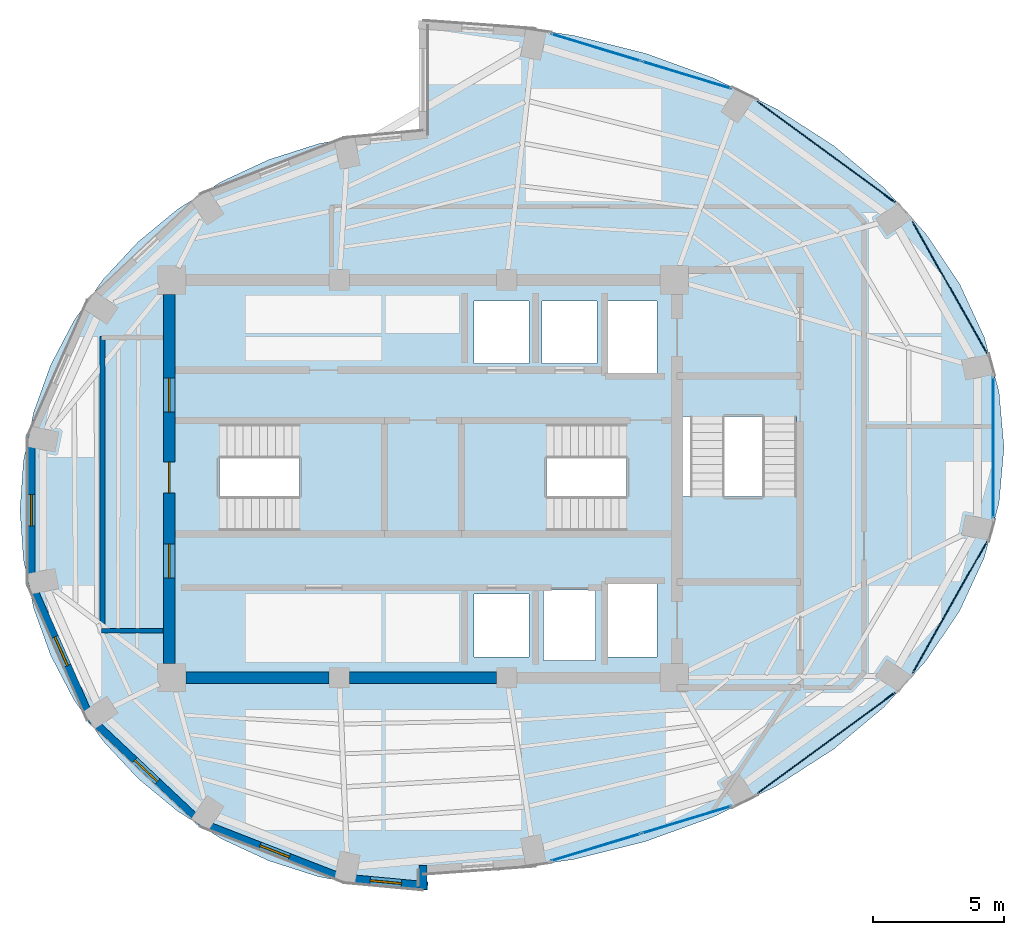
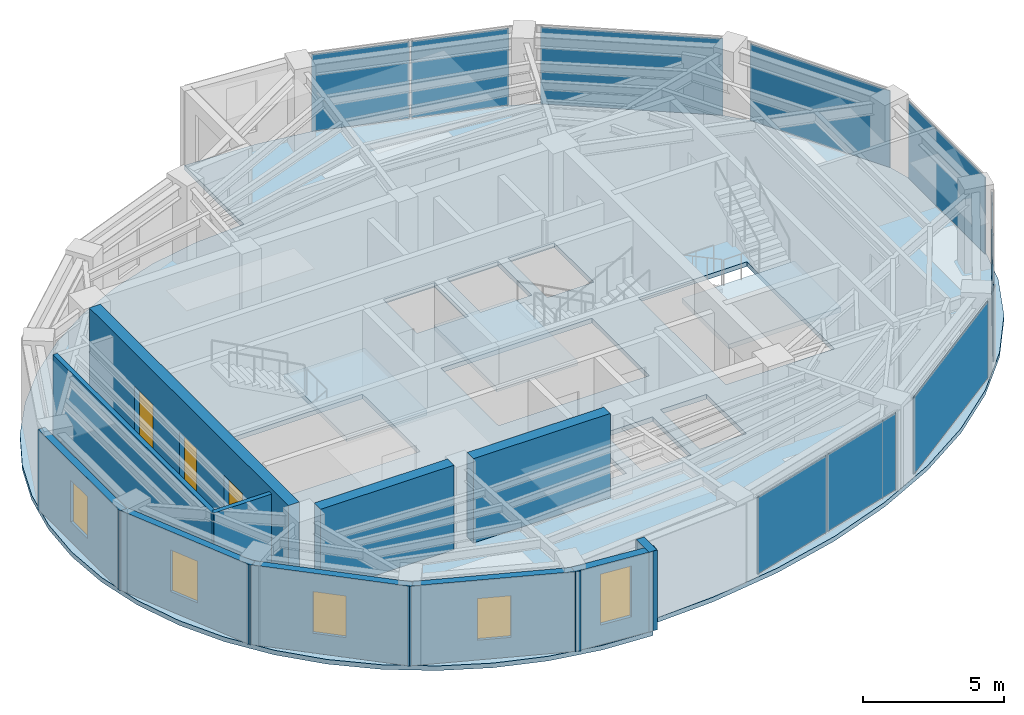
# One storey, part 8 of 12: 11 walls, 9 plates, 5 windows, 4 slabs, 3 doors, 8 openings, 10 elements without a shape of their own.
"""IFC4 building model written with IfcOpenShell, lengths in metres."""

from ifc_helpers import new_model, si_unit, direction, frame, frame_2d, origin, origin_2d, place, context, subcontext, project, spatial, polyline, rectangle, outline, extrude, material, layer, layer_set, type_object, element, fill, aggregate, save


model = new_model("IFC4")

# Units and contexts
model_context = context("Model", 3, precision=1e-05, world=origin(), true_north=direction((0.0, 1.0)))
body_context = subcontext(model_context, "Body", "Model", "MODEL_VIEW")
ifc_project = project(units=[si_unit("LENGTHUNIT", "METRE"), si_unit("AREAUNIT", "SQUARE_METRE"), si_unit("VOLUMEUNIT", "CUBIC_METRE"), si_unit("PLANEANGLEUNIT", "RADIAN"), si_unit("MASSUNIT", "GRAM", prefix="KILO")], contexts=[model_context])

# Site, building, storey
site_placement = place(None, origin())
site = spatial("IfcSite", under=ifc_project, at=site_placement, CompositionType="ELEMENT")
building_placement = place(site_placement, origin())
building = spatial("IfcBuilding", under=site, at=building_placement, Name="Lazwardi Medical Tower", CompositionType="ELEMENT")
storey_placement = place(building_placement, frame((0.0, 0.0, 287.85595703125)))
storey = spatial("IfcBuildingStorey", under=building, at=storey_placement, Name="L75", CompositionType="ELEMENT", Elevation=287.85595703125)

# Curtain wall, plates
ifc_material_1 = material(Name="Anodised bronze aluminium and solar control glazing", Category="aluminium")
ifc_layer_1 = layer(ifc_material_1, 0.18994140625)
ifc_layer_set_1 = layer_set([ifc_layer_1], Name="Anodised bronze aluminium and solar control glazing")
curtain_wall_type = type_object("IfcCurtainWallType", Name="CW-SYS-04", PredefinedType="NOTDEFINED", material=ifc_layer_set_1)
curtain_wall_1_placement = place(storey_placement, origin())
curtain_wall_1 = element("IfcCurtainWall", 1, at=curtain_wall_1_placement, inside=storey, type_object=curtain_wall_type, Name="L75 Unitised bronze curtain wall CW-04", PredefinedType="NOTDEFINED")
ifc_material_2 = material(Name="Low-e bronze solar control double glazing", Category="glass")
ifc_layer_2 = layer(ifc_material_2, 0.035888671875)
ifc_layer_set_2 = layer_set([ifc_layer_2], Name="Low-e bronze solar control double glazing")
plate_type = type_object("IfcPlateType", Name="PLT-GLZ-01", PredefinedType="CURTAIN_PANEL", material=ifc_layer_set_2)
plate_1_placement = place(storey_placement, frame((42.604736328125, 13.918701171875, 0.06494140625), z_axis=(0.0, 0.0, 1.0), x_axis=(0.956850126972, 0.290581889515, 0.0)))
plate_1 = element("IfcPlate", 2, at=plate_1_placement, type_object=plate_type, Name="CW-04 panel 1.1", PredefinedType="CURTAIN_PANEL", context=body_context, shape_type="SweptSolid", body=[
    extrude(rectangle(XDim=3.554443359375, YDim=0.035888671875, at=origin_2d()), origin(), (0.0, 0.0, 1.0), 3.318115234375),
])
plate_2_placement = place(storey_placement, frame((46.068115234375, 14.970458984375, 0.06494140625), z_axis=(0.0, 0.0, 1.0), x_axis=(0.956850126972, 0.290581889515, 0.0)))
plate_2 = element("IfcPlate", 3, at=plate_2_placement, type_object=plate_type, Name="CW-04 panel 2.1", PredefinedType="CURTAIN_PANEL", context=body_context, shape_type="SweptSolid", body=[
    extrude(rectangle(XDim=3.554443359375, YDim=0.035888671875, at=origin_2d()), origin(), (0.0, 0.0, 1.0), 3.318115234375),
])
aggregate(curtain_wall_1, [plate_1, plate_2])

# Curtain wall, plate
curtain_wall_2_placement = place(storey_placement, origin())
curtain_wall_2 = element("IfcCurtainWall", 4, at=curtain_wall_2_placement, inside=storey, type_object=curtain_wall_type, Name="L75 Unitised bronze curtain wall CW-04", PredefinedType="NOTDEFINED")
plate_3_placement = place(storey_placement, frame((51.403564453125, 17.90673828125, 0.06494140625), z_axis=(0.0, 0.0, 1.0), x_axis=(0.806474971121, 0.591268230971, 0.0)))
plate_3 = element("IfcPlate", 5, at=plate_3_placement, type_object=plate_type, Name="CW-04 panel 1.1", PredefinedType="CURTAIN_PANEL", context=body_context, shape_type="SweptSolid", body=[
    extrude(rectangle(XDim=6.502685546875, YDim=0.035888671875, at=origin_2d()), origin(), (0.0, 0.0, 1.0), 3.318115234375),
])
aggregate(curtain_wall_2, [plate_3])

curtain_wall_3_placement = place(storey_placement, origin())
curtain_wall_3 = element("IfcCurtainWall", 6, at=curtain_wall_3_placement, inside=storey, type_object=curtain_wall_type, Name="L75 Unitised bronze curtain wall CW-04", PredefinedType="NOTDEFINED")
plate_4_placement = place(storey_placement, frame((56.125732421875, 23.088134765625, 0.06494140625), z_axis=(0.0, 0.0, 1.0), x_axis=(0.491900474661, 0.870651436011, 0.0)))
plate_4 = element("IfcPlate", 7, at=plate_4_placement, type_object=plate_type, Name="CW-04 panel 1.1", PredefinedType="CURTAIN_PANEL", context=body_context, shape_type="SweptSolid", body=[
    extrude(rectangle(XDim=5.755126953125, YDim=0.035888671875, at=origin_2d()), origin(), (0.0, 0.0, 1.0), 3.318115234375),
])
aggregate(curtain_wall_3, [plate_4])

curtain_wall_4_placement = place(storey_placement, origin())
curtain_wall_4 = element("IfcCurtainWall", 8, at=curtain_wall_4_placement, inside=storey, type_object=curtain_wall_type, Name="L75 Unitised bronze curtain wall CW-04", PredefinedType="NOTDEFINED")
plate_5_placement = place(storey_placement, frame((57.7841796875, 29.199951171875, 0.06494140625), z_axis=(0.0, 0.0, 1.0), x_axis=(0.0, 1.0, 0.0)))
plate_5 = element("IfcPlate", 9, at=plate_5_placement, type_object=plate_type, Name="CW-04 panel 1.1", PredefinedType="CURTAIN_PANEL", context=body_context, shape_type="SweptSolid", body=[
    extrude(rectangle(XDim=5.416015625, YDim=0.035888671875, at=origin_2d()), origin(), (0.0, 0.0, 1.0), 3.318115234375),
])
aggregate(curtain_wall_4, [plate_5])

curtain_wall_5_placement = place(storey_placement, origin())
curtain_wall_5 = element("IfcCurtainWall", 10, at=curtain_wall_5_placement, inside=storey, type_object=curtain_wall_type, Name="L75 Unitised bronze curtain wall CW-04", PredefinedType="NOTDEFINED")
plate_6_placement = place(storey_placement, frame((56.125732421875, 35.311767578125, 0.06494140625), z_axis=(0.0, 0.0, 1.0), x_axis=(-0.491900474661, 0.870651436011, 0.0)))
plate_6 = element("IfcPlate", 11, at=plate_6_placement, type_object=plate_type, Name="CW-04 panel 1.1", PredefinedType="CURTAIN_PANEL", context=body_context, shape_type="SweptSolid", body=[
    extrude(rectangle(XDim=5.755126953125, YDim=0.035888671875, at=origin_2d()), origin(), (0.0, 0.0, 1.0), 3.318115234375),
])
aggregate(curtain_wall_5, [plate_6])

curtain_wall_6_placement = place(storey_placement, origin())
curtain_wall_6 = element("IfcCurtainWall", 12, at=curtain_wall_6_placement, inside=storey, type_object=curtain_wall_type, Name="L75 Unitised bronze curtain wall CW-04", PredefinedType="NOTDEFINED")
plate_7_placement = place(storey_placement, frame((51.403564453125, 40.4931640625, 0.06494140625), z_axis=(0.0, 0.0, 1.0), x_axis=(-0.806474971121, 0.591268230971, 0.0)))
plate_7 = element("IfcPlate", 13, at=plate_7_placement, type_object=plate_type, Name="CW-04 panel 1.1", PredefinedType="CURTAIN_PANEL", context=body_context, shape_type="SweptSolid", body=[
    extrude(rectangle(XDim=6.502685546875, YDim=0.035888671875, at=origin_2d()), origin(), (0.0, 0.0, 1.0), 3.318115234375),
])
aggregate(curtain_wall_6, [plate_7])

# Curtain wall, plates
curtain_wall_7_placement = place(storey_placement, origin())
curtain_wall_7 = element("IfcCurtainWall", 14, at=curtain_wall_7_placement, inside=storey, type_object=curtain_wall_type, Name="L75 Unitised bronze curtain wall CW-04", PredefinedType="NOTDEFINED")
plate_8_placement = place(storey_placement, frame((46.068115234375, 43.429443359375, 0.06494140625), z_axis=(0.0, 0.0, 1.0), x_axis=(-0.956850126972, 0.290581889515, 0.0)))
plate_8 = element("IfcPlate", 15, at=plate_8_placement, type_object=plate_type, Name="CW-04 panel 1.1", PredefinedType="CURTAIN_PANEL", context=body_context, shape_type="SweptSolid", body=[
    extrude(rectangle(XDim=3.554443359375, YDim=0.035888671875, at=origin_2d()), origin(), (0.0, 0.0, 1.0), 3.318115234375),
])
plate_9_placement = place(storey_placement, frame((42.604736328125, 44.481201171875, 0.06494140625), z_axis=(0.0, 0.0, 1.0), x_axis=(-0.956850126972, 0.290581889515, 0.0)))
plate_9 = element("IfcPlate", 16, at=plate_9_placement, type_object=plate_type, Name="CW-04 panel 2.1", PredefinedType="CURTAIN_PANEL", context=body_context, shape_type="SweptSolid", body=[
    extrude(rectangle(XDim=3.554443359375, YDim=0.035888671875, at=origin_2d()), origin(), (0.0, 0.0, 1.0), 3.318115234375),
])
aggregate(curtain_wall_7, [plate_8, plate_9])

# Stair, slab
ifc_material_3 = material(Name="Concrete C45/55", Category="concrete")
stair_type = type_object("IfcStairType", Name="STR-WRD", PredefinedType="HALF_TURN_STAIR", material=ifc_material_3)
stair_1_placement = place(storey_placement, origin())
stair_1 = element("IfcStair", 17, at=stair_1_placement, inside=storey, type_object=stair_type, Name="L75 Protected Exit Stair ST1", PredefinedType="HALF_TURN_STAIR")
ifc_layer_3 = layer(ifc_material_3, 0.199951171875)
ifc_layer_set_3 = layer_set([ifc_layer_3], Name="Concrete C45/55")
slab_type_1 = type_object("IfcSlabType", Name="SLB-LND-190", PredefinedType="LANDING", material=ifc_layer_set_3)
slab_1_placement = place(storey_placement, frame((0.0, 0.0, 1.6240234375)))
slab_1 = element("IfcSlab", 18, at=slab_1_placement, type_object=slab_type_1, Name="ST1 landing 1", PredefinedType="LANDING", context=body_context, shape_type="SweptSolid", body=[
    extrude(outline(polyline([(31.27490234375, 25.840087890625), (34.580078125, 25.840087890625), (34.580078125, 30.280029296875), (31.27490234375, 30.280029296875), (31.27490234375, 25.840087890625)])), origin(), (0.0, 0.0, 1.0), 0.199951171875),
])
aggregate(stair_1, [slab_1])

stair_2_placement = place(storey_placement, origin())
stair_2 = element("IfcStair", 19, at=stair_2_placement, inside=storey, type_object=stair_type, Name="L75 Protected Exit Stair ST2", PredefinedType="HALF_TURN_STAIR")
slab_2_placement = place(storey_placement, frame((0.0, 0.0, 1.6240234375)))
slab_2 = element("IfcSlab", 20, at=slab_2_placement, type_object=slab_type_1, Name="ST2 landing 1", PredefinedType="LANDING", context=body_context, shape_type="SweptSolid", body=[
    extrude(outline(polyline([(40.72509765625, 30.280029296875), (37.419921875, 30.280029296875), (37.419921875, 25.840087890625), (40.72509765625, 25.840087890625), (40.72509765625, 30.280029296875)])), origin(), (0.0, 0.0, 1.0), 0.199951171875),
])
aggregate(stair_2, [slab_2])

stair_3_placement = place(storey_placement, origin())
stair_3 = element("IfcStair", 21, at=stair_3_placement, inside=storey, type_object=stair_type, Name="L75 Protected Exit Stair ST3", PredefinedType="HALF_TURN_STAIR")
slab_3_placement = place(storey_placement, frame((0.0, 0.0, 1.6240234375)))
slab_3 = element("IfcSlab", 22, at=slab_3_placement, type_object=slab_type_1, Name="ST3 landing 1", PredefinedType="LANDING", context=body_context, shape_type="SweptSolid", body=[
    extrude(outline(polyline([(45.860107421875, 27.324951171875), (45.860107421875, 24.02001953125), (50.4599609375, 24.02001953125), (50.4599609375, 27.324951171875), (45.860107421875, 27.324951171875)])), origin(), (0.0, 0.0, 1.0), 0.199951171875),
])
aggregate(stair_3, [slab_3])

# Slab
ifc_material_4 = material(Name="Concrete C50/60", Category="concrete")
ifc_layer_4 = layer(ifc_material_4, 0.199951171875)
ifc_layer_set_4 = layer_set([ifc_layer_4], Name="Concrete C50/60")
slab_type_2 = type_object("IfcSlabType", Name="SLB-UPP-200", PredefinedType="FLOOR", material=ifc_layer_set_4)
slab_4_placement = place(storey_placement, frame((0.0, 0.0, -0.199951171875)))
element("IfcSlab", 23, at=slab_4_placement, inside=storey, type_object=slab_type_2, Name="Structural floor slab SF-04 L75", PredefinedType="FLOOR", context=body_context, shape_type="SweptSolid", body=[
    extrude(outline(polyline([(23.782470703125, 17.972900390625), (25.110595703125, 16.547119140625), (26.625, 15.29638671875), (28.300048828125, 14.24267578125), (30.106689453125, 13.40380859375), (32.01416015625, 12.794189453125), (33.989990234375, 12.424072265625), (36.0, 12.300048828125), (36.0, 12.89990234375), (38.897705078125, 13.039306640625), (41.745849609375, 13.455322265625), (44.49560546875, 14.140869140625), (47.10009765625, 15.083740234375), (49.514404296875, 16.268310546875), (51.69775390625, 17.67431640625), (53.6123046875, 19.277099609375), (55.225830078125, 21.050048828125), (56.510009765625, 22.96240234375), (57.443603515625, 24.981201171875), (58.010009765625, 27.072509765625), (58.199951171875, 29.199951171875), (58.010009765625, 31.32763671875), (57.443603515625, 33.418701171875), (56.510009765625, 35.437744140625), (55.225830078125, 37.35009765625), (53.6123046875, 39.122802734375), (51.69775390625, 40.725830078125), (49.514404296875, 42.131591796875), (47.10009765625, 43.316162109375), (44.49560546875, 44.25927734375), (41.745849609375, 44.944580078125), (38.897705078125, 45.360595703125), (36.0, 45.5), (36.0, 41.300048828125), (33.989990234375, 41.176025390625), (32.01416015625, 40.805908203125), (30.106689453125, 40.1962890625), (28.300048828125, 39.357421875), (26.625, 38.3037109375), (25.110595703125, 37.052978515625), (23.782470703125, 35.626953125), (22.6630859375, 34.050048828125), (21.772216796875, 32.348876953125), (21.124755859375, 30.552978515625), (20.731689453125, 28.692626953125), (20.60009765625, 26.800048828125), (20.731689453125, 24.907470703125), (21.124755859375, 23.047119140625), (21.772216796875, 21.251220703125), (22.6630859375, 19.550048828125), (23.782470703125, 17.972900390625)]), holes=[polyline([(28.22509765625, 26.02001953125), (28.22509765625, 30.10009765625), (34.39990234375, 30.10009765625), (34.39990234375, 26.02001953125), (28.22509765625, 26.02001953125)]), polyline([(37.60009765625, 30.10009765625), (43.77490234375, 30.10009765625), (43.77490234375, 26.02001953125), (37.60009765625, 26.02001953125), (37.60009765625, 30.10009765625)]), polyline([(50.280029296875, 30.375), (50.280029296875, 24.179931640625), (45.840087890625, 24.179931640625), (45.840087890625, 30.375), (50.280029296875, 30.375)]), polyline([(40.050048828125, 32.39990234375), (37.949951171875, 32.39990234375), (37.949951171875, 34.800048828125), (40.050048828125, 34.800048828125), (40.050048828125, 32.39990234375)]), polyline([(40.550048828125, 32.39990234375), (40.550048828125, 34.800048828125), (42.64990234375, 34.800048828125), (42.64990234375, 32.39990234375), (40.550048828125, 32.39990234375)]), polyline([(37.949951171875, 23.60009765625), (40.050048828125, 23.60009765625), (40.050048828125, 21.199951171875), (37.949951171875, 21.199951171875), (37.949951171875, 23.60009765625)]), polyline([(44.949951171875, 34.800048828125), (44.949951171875, 32.0), (43.050048828125, 32.0), (43.050048828125, 34.800048828125), (44.949951171875, 34.800048828125)]), polyline([(44.949951171875, 21.199951171875), (43.050048828125, 21.199951171875), (43.050048828125, 24.0), (44.949951171875, 24.0), (44.949951171875, 21.199951171875)]), polyline([(40.60009765625, 21.050048828125), (40.60009765625, 23.75), (42.60009765625, 23.75), (42.60009765625, 21.050048828125), (40.60009765625, 21.050048828125)])]), origin(), (0.0, 0.0, 1.0), 0.199951171875),
])

# Walls
ifc_material_5 = material(Name="Fire-rated gypsum board on steel stud", Category="steel")
ifc_layer_5 = layer(ifc_material_5, 0.179931640625)
ifc_layer_set_5 = layer_set([ifc_layer_5], Name="Fire-rated gypsum board on steel stud")
wall_type_1 = type_object("IfcWallType", Name="WL-COR-180", PredefinedType="PARTITIONING", material=ifc_layer_set_5)
wall_1_placement = place(storey_placement, frame((26.06005859375, 22.199951171875, 0.0), z_axis=(0.0, 0.0, 1.0), x_axis=(-1.0, 0.0, 0.0)))
element("IfcWall", 24, at=wall_1_placement, inside=storey, type_object=wall_type_1, Name="L75 Corridor partition 7", PredefinedType="PARTITIONING", context=body_context, shape_type="SweptSolid", body=[
    extrude(rectangle(XDim=2.35009765625, YDim=0.179931640625, at=frame_2d((1.175048828125, 0.0))), origin(), (0.0, 0.0, 1.0), 3.447998046875),
])
wall_2_placement = place(storey_placement, frame((23.75, 22.159912109375, 0.0), z_axis=(0.0, 0.0, 1.0), x_axis=(0.0, 1.0, 0.0)))
element("IfcWall", 25, at=wall_2_placement, inside=storey, type_object=wall_type_1, Name="L75 Corridor partition 8", PredefinedType="PARTITIONING", context=body_context, shape_type="SweptSolid", body=[
    extrude(rectangle(XDim=11.280029296875, YDim=0.179931640625, at=frame_2d((5.64013671875, 0.0))), origin(), (0.0, 0.0, 1.0), 3.447998046875),
])

# Wall, openings, doors
ifc_material_6 = material(Name="Concrete C60/75", Category="concrete")
ifc_layer_6 = layer(ifc_material_6, 0.449951171875)
ifc_layer_set_6 = layer_set([ifc_layer_6], Name="Concrete C60/75")
wall_type_2 = type_object("IfcWallType", Name="WL-CORE-450", PredefinedType="SHEAR", material=ifc_layer_set_6)
wall_3_placement = place(storey_placement, frame((26.300048828125, 20.949951171875, 0.0), z_axis=(0.0, 0.0, 1.0), x_axis=(0.0, 1.0, 0.0)))
wall_3 = element("IfcWall", 26, at=wall_3_placement, inside=storey, type_object=wall_type_2, Name="Core wall CW-S4 west L75", PredefinedType="SHEAR", context=body_context, shape_type="SweptSolid", body=[
    extrude(rectangle(XDim=14.10009765625, YDim=0.449951171875, at=frame_2d((7.050048828125, 0.0))), origin(), (0.0, 0.0, 1.0), 3.64794921875),
])
opening_1_placement = place(wall_3_placement, frame((6.5, 0.0, 0.0)))
opening_1 = element("IfcOpeningElement", 27, at=opening_1_placement, cuts=wall_3, Name="Opening D-L75-010", PredefinedType="OPENING", context=body_context, shape_type="SweptSolid", body=[
    extrude(rectangle(XDim=1.199951171875, YDim=2.14990234375, at=frame_2d((0.60009765625, 1.074951171875))), frame((0.0, 0.23486328125, 0.0), z_axis=(0.0, -1.0, 0.0), x_axis=(1.0, 0.0, 0.0)), (0.0, 0.0, 1.0), 0.469970703125),
])
opening_2_placement = place(wall_3_placement, frame((9.60009765625, 0.0, 0.0)))
opening_2 = element("IfcOpeningElement", 28, at=opening_2_placement, cuts=wall_3, Name="Opening D-L75-006", PredefinedType="OPENING", context=body_context, shape_type="SweptSolid", body=[
    extrude(rectangle(XDim=1.300048828125, YDim=2.199951171875, at=frame_2d((0.64990234375, 1.10009765625))), frame((0.0, 0.23486328125, 0.0), z_axis=(0.0, -1.0, 0.0), x_axis=(1.0, 0.0, 0.0)), (0.0, 0.0, 1.0), 0.469970703125),
])
opening_3_placement = place(wall_3_placement, frame((3.260009765625, 0.0, 0.0)))
opening_3 = element("IfcOpeningElement", 29, at=opening_3_placement, cuts=wall_3, Name="Opening D-L75-007", PredefinedType="OPENING", context=body_context, shape_type="SweptSolid", body=[
    extrude(rectangle(XDim=1.300048828125, YDim=2.199951171875, at=frame_2d((0.64990234375, 1.10009765625))), frame((0.0, 0.23486328125, 0.0), z_axis=(0.0, -1.0, 0.0), x_axis=(1.0, 0.0, 0.0)), (0.0, 0.0, 1.0), 0.469970703125),
])
ifc_material_7 = material(Name="Fire-rated steel leaf and frame", Category="steel")
door_type_1 = type_object("IfcDoorType", Name="DR-FFL-1300", OperationType="NOTDEFINED", PredefinedType="DOOR", material=ifc_material_7)
door_1_placement = place(opening_2_placement, origin())
door_1 = element("IfcDoor", 30, at=door_1_placement, inside=storey, type_object=door_type_1, Name="L75 North Lift Lobby Door", OperationType="SINGLE_SWING_RIGHT", OverallHeight=2.199951171875, OverallWidth=1.300048828125, PredefinedType="DOOR", context=body_context, shape_type="SweptSolid", body=[
    extrude(rectangle(XDim=1.300048828125, YDim=2.199951171875, at=frame_2d((0.64990234375, 1.10009765625))), frame((0.0, 0.02490234375, 0.0), z_axis=(0.0, -1.0, 0.0), x_axis=(1.0, 0.0, 0.0)), (0.0, 0.0, 1.0), 0.050048828125),
])
fill(opening_2, door_1)
door_2_placement = place(opening_3_placement, origin())
door_2 = element("IfcDoor", 31, at=door_2_placement, inside=storey, type_object=door_type_1, Name="L75 South Lift Lobby Door", OperationType="SINGLE_SWING_LEFT", OverallHeight=2.199951171875, OverallWidth=1.300048828125, PredefinedType="DOOR", context=body_context, shape_type="SweptSolid", body=[
    extrude(rectangle(XDim=1.300048828125, YDim=2.199951171875, at=frame_2d((0.64990234375, 1.10009765625))), frame((0.0, 0.02490234375, 0.0), z_axis=(0.0, -1.0, 0.0), x_axis=(1.0, 0.0, 0.0)), (0.0, 0.0, 1.0), 0.050048828125),
])
fill(opening_3, door_2)
door_type_2 = type_object("IfcDoorType", Name="DR-STR-1200", OperationType="NOTDEFINED", PredefinedType="DOOR", material=ifc_material_7)
door_3_placement = place(opening_1_placement, origin())
door_3 = element("IfcDoor", 32, at=door_3_placement, inside=storey, type_object=door_type_2, Name="L75 Exit Stair ST1 Door", OperationType="SINGLE_SWING_LEFT", OverallHeight=2.14990234375, OverallWidth=1.199951171875, PredefinedType="DOOR", context=body_context, shape_type="SweptSolid", body=[
    extrude(rectangle(XDim=1.199951171875, YDim=2.14990234375, at=frame_2d((0.60009765625, 1.074951171875))), frame((0.0, 0.02490234375, 0.0), z_axis=(0.0, -1.0, 0.0), x_axis=(1.0, 0.0, 0.0)), (0.0, 0.0, 1.0), 0.050048828125),
])
fill(opening_1, door_3)

# Walls
wall_4_placement = place(storey_placement, frame((26.949951171875, 20.39990234375, 0.0), z_axis=(0.0, 0.0, 1.0), x_axis=(1.0, 0.0, 0.0)))
element("IfcWall", 33, at=wall_4_placement, inside=storey, type_object=wall_type_2, Name="Core wall CW-S4 S1 L75", PredefinedType="SHEAR", context=body_context, shape_type="SweptSolid", body=[
    extrude(rectangle(XDim=5.449951171875, YDim=0.449951171875, at=frame_2d((2.72509765625, 0.0))), origin(), (0.0, 0.0, 1.0), 3.64794921875),
])
wall_5_placement = place(storey_placement, frame((33.199951171875, 20.39990234375, 0.0), z_axis=(0.0, 0.0, 1.0), x_axis=(1.0, 0.0, 0.0)))
element("IfcWall", 34, at=wall_5_placement, inside=storey, type_object=wall_type_2, Name="Core wall CW-S4 S2 L75", PredefinedType="SHEAR", context=body_context, shape_type="SweptSolid", body=[
    extrude(rectangle(XDim=5.60009765625, YDim=0.449951171875, at=frame_2d((2.800048828125, 0.0))), origin(), (0.0, 0.0, 1.0), 3.64794921875),
])

# Wall, opening, window
ifc_material_8 = material(Name="Precast concrete C45/55", Category="concrete")
ifc_layer_7 = layer(ifc_material_8, 0.280029296875)
ifc_layer_set_7 = layer_set([ifc_layer_7], Name="Precast concrete C45/55")
wall_type_3 = type_object("IfcWallType", Name="WL-DRUM-280", PredefinedType="SOLIDWALL", material=ifc_layer_set_7)
wall_6_placement = place(storey_placement, frame((21.033203125, 29.701416015625, 0.0), z_axis=(0.0, 0.0, 1.0), x_axis=(0.0, -1.0, 0.0)))
wall_6 = element("IfcWall", 35, at=wall_6_placement, inside=storey, type_object=wall_type_3, Name="L75 West Drum Precast Wall 4", PredefinedType="SOLIDWALL", context=body_context, shape_type="SweptSolid", body=[
    extrude(rectangle(XDim=5.802978515625, YDim=0.280029296875, at=frame_2d((2.9013671875, 0.0))), origin(), (0.0, 0.0, 1.0), 3.447998046875),
])
opening_4_placement = place(wall_6_placement, frame((2.301513671875, 0.0, 0.85009765625)))
opening_4 = element("IfcOpeningElement", 36, at=opening_4_placement, cuts=wall_6, Name="Opening WN-04", PredefinedType="OPENING", context=body_context, shape_type="SweptSolid", body=[
    extrude(rectangle(XDim=1.199951171875, YDim=1.800048828125, at=frame_2d((0.60009765625, 0.89990234375))), frame((0.0, 0.14990234375, 0.0), z_axis=(0.0, -1.0, 0.0), x_axis=(1.0, 0.0, 0.0)), (0.0, 0.0, 1.0), 0.300048828125),
])
window_type_1 = type_object("IfcWindowType", Name="WIN-DRUM-1200", PartitioningType="SINGLE_PANEL", PredefinedType="WINDOW", material=ifc_material_2)
window_1_placement = place(opening_4_placement, origin())
window_1 = element("IfcWindow", 37, at=window_1_placement, inside=storey, type_object=window_type_1, Name="L75 West Drum Window 4", OverallHeight=1.800048828125, OverallWidth=1.199951171875, PartitioningType="SINGLE_PANEL", PredefinedType="WINDOW", context=body_context, shape_type="SweptSolid", body=[
    extrude(rectangle(XDim=1.199951171875, YDim=1.800048828125, at=frame_2d((0.60009765625, 0.89990234375))), frame((0.0, 0.030029296875, 0.0), z_axis=(0.0, -1.0, 0.0), x_axis=(1.0, 0.0, 0.0)), (0.0, 0.0, 1.0), 0.06005859375),
])
fill(opening_4, window_1)

wall_7_placement = place(storey_placement, frame((20.992919921875, 24.090087890625, 0.0), z_axis=(0.0, 0.0, 1.0), x_axis=(0.402867150469, -0.91525846572, 0.0)))
wall_7 = element("IfcWall", 38, at=wall_7_placement, inside=storey, type_object=wall_type_3, Name="L75 West Drum Precast Wall 5", PredefinedType="SOLIDWALL", context=body_context, shape_type="SweptSolid", body=[
    extrude(rectangle(XDim=5.85595703125, YDim=0.280029296875, at=frame_2d((2.927978515625, 0.0))), origin(), (0.0, 0.0, 1.0), 3.447998046875),
])
opening_5_placement = place(wall_7_placement, frame((2.327880859375, 0.0, 0.85009765625)))
opening_5 = element("IfcOpeningElement", 39, at=opening_5_placement, cuts=wall_7, Name="Opening WN-04", PredefinedType="OPENING", context=body_context, shape_type="SweptSolid", body=[
    extrude(rectangle(XDim=1.199951171875, YDim=1.800048828125, at=frame_2d((0.60009765625, 0.89990234375))), frame((0.0, 0.14990234375, 0.0), z_axis=(0.0, -1.0, 0.0), x_axis=(1.0, 0.0, 0.0)), (0.0, 0.0, 1.0), 0.300048828125),
])
window_2_placement = place(opening_5_placement, origin())
window_2 = element("IfcWindow", 40, at=window_2_placement, inside=storey, type_object=window_type_1, Name="L75 West Drum Window 5", OverallHeight=1.800048828125, OverallWidth=1.199951171875, PartitioningType="SINGLE_PANEL", PredefinedType="WINDOW", context=body_context, shape_type="SweptSolid", body=[
    extrude(rectangle(XDim=1.199951171875, YDim=1.800048828125, at=frame_2d((0.60009765625, 0.89990234375))), frame((0.0, 0.030029296875, 0.0), z_axis=(0.0, -1.0, 0.0), x_axis=(1.0, 0.0, 0.0)), (0.0, 0.0, 1.0), 0.06005859375),
])
fill(opening_5, window_2)

wall_8_placement = place(storey_placement, frame((23.239013671875, 18.890380859375, 0.0), z_axis=(0.0, 0.0, 1.0), x_axis=(0.728251519923, -0.685309947199, 0.0)))
wall_8 = element("IfcWall", 41, at=wall_8_placement, inside=storey, type_object=wall_type_3, Name="L75 West Drum Precast Wall 6", PredefinedType="SOLIDWALL", context=body_context, shape_type="SweptSolid", body=[
    extrude(rectangle(XDim=5.98095703125, YDim=0.280029296875, at=frame_2d((2.990478515625, 0.0))), origin(), (0.0, 0.0, 1.0), 3.447998046875),
])
opening_6_placement = place(wall_8_placement, frame((2.390625, 0.0, 0.85009765625)))
opening_6 = element("IfcOpeningElement", 42, at=opening_6_placement, cuts=wall_8, Name="Opening WN-04", PredefinedType="OPENING", context=body_context, shape_type="SweptSolid", body=[
    extrude(rectangle(XDim=1.199951171875, YDim=1.800048828125, at=frame_2d((0.60009765625, 0.89990234375))), frame((0.0, 0.14990234375, 0.0), z_axis=(0.0, -1.0, 0.0), x_axis=(1.0, 0.0, 0.0)), (0.0, 0.0, 1.0), 0.300048828125),
])
window_3_placement = place(opening_6_placement, origin())
window_3 = element("IfcWindow", 43, at=window_3_placement, inside=storey, type_object=window_type_1, Name="L75 West Drum Window 6", OverallHeight=1.800048828125, OverallWidth=1.199951171875, PartitioningType="SINGLE_PANEL", PredefinedType="WINDOW", context=body_context, shape_type="SweptSolid", body=[
    extrude(rectangle(XDim=1.199951171875, YDim=1.800048828125, at=frame_2d((0.60009765625, 0.89990234375))), frame((0.0, 0.030029296875, 0.0), z_axis=(0.0, -1.0, 0.0), x_axis=(1.0, 0.0, 0.0)), (0.0, 0.0, 1.0), 0.06005859375),
])
fill(opening_6, window_3)

wall_9_placement = place(storey_placement, frame((27.4287109375, 14.896484375, 0.0), z_axis=(0.0, 0.0, 1.0), x_axis=(0.931716550814, -0.36318627306, 0.0)))
wall_9 = element("IfcWall", 44, at=wall_9_placement, inside=storey, type_object=wall_type_3, Name="L75 West Drum Precast Wall 7", PredefinedType="SOLIDWALL", context=body_context, shape_type="SweptSolid", body=[
    extrude(rectangle(XDim=6.22412109375, YDim=0.280029296875, at=frame_2d((3.112060546875, 0.0))), origin(), (0.0, 0.0, 1.0), 3.447998046875),
])
opening_7_placement = place(wall_9_placement, frame((2.511962890625, 0.0, 0.85009765625)))
opening_7 = element("IfcOpeningElement", 45, at=opening_7_placement, cuts=wall_9, Name="Opening WN-04", PredefinedType="OPENING", context=body_context, shape_type="SweptSolid", body=[
    extrude(rectangle(XDim=1.199951171875, YDim=1.800048828125, at=frame_2d((0.60009765625, 0.89990234375))), frame((0.0, 0.14990234375, 0.0), z_axis=(0.0, -1.0, 0.0), x_axis=(1.0, 0.0, 0.0)), (0.0, 0.0, 1.0), 0.300048828125),
])
window_4_placement = place(opening_7_placement, origin())
window_4 = element("IfcWindow", 46, at=window_4_placement, inside=storey, type_object=window_type_1, Name="L75 West Drum Window 7", OverallHeight=1.800048828125, OverallWidth=1.199951171875, PartitioningType="SINGLE_PANEL", PredefinedType="WINDOW", context=body_context, shape_type="SweptSolid", body=[
    extrude(rectangle(XDim=1.199951171875, YDim=1.800048828125, at=frame_2d((0.60009765625, 0.89990234375))), frame((0.0, 0.030029296875, 0.0), z_axis=(0.0, -1.0, 0.0), x_axis=(1.0, 0.0, 0.0)), (0.0, 0.0, 1.0), 0.06005859375),
])
fill(opening_7, window_4)

ifc_layer_8 = layer(ifc_material_8, 0.320068359375)
ifc_layer_set_8 = layer_set([ifc_layer_8], Name="Precast concrete C45/55")
wall_type_4 = type_object("IfcWallType", Name="WL-IWAN-320", PredefinedType="SOLIDWALL", material=ifc_layer_set_8)
wall_10_placement = place(storey_placement, frame((32.97705078125, 12.739990234375, 0.0), z_axis=(0.0, 0.0, 1.0), x_axis=(0.995736155144, -0.092247001792, 0.0)))
wall_10 = element("IfcWall", 47, at=wall_10_placement, inside=storey, type_object=wall_type_4, Name="L75 Iwan Portal Return Wall SW_ret", PredefinedType="SOLIDWALL", context=body_context, shape_type="SweptSolid", body=[
    extrude(rectangle(XDim=3.215576171875, YDim=0.320068359375, at=frame_2d((1.60791015625, 0.0))), origin(), (0.0, 0.0, 1.0), 3.447998046875),
])
opening_8_placement = place(wall_10_placement, frame((1.0078125, 0.0, 0.85009765625)))
opening_8 = element("IfcOpeningElement", 48, at=opening_8_placement, cuts=wall_10, Name="Opening WN-01", PredefinedType="OPENING", context=body_context, shape_type="SweptSolid", body=[
    extrude(rectangle(XDim=1.199951171875, YDim=2.199951171875, at=frame_2d((0.60009765625, 1.10009765625))), frame((0.0, 0.169921875, 0.0), z_axis=(0.0, -1.0, 0.0), x_axis=(1.0, 0.0, 0.0)), (0.0, 0.0, 1.0), 0.340087890625),
])
window_type_2 = type_object("IfcWindowType", Name="WIN-IW-1200", PartitioningType="SINGLE_PANEL", PredefinedType="WINDOW", material=ifc_material_2)
window_5_placement = place(opening_8_placement, origin())
window_5 = element("IfcWindow", 49, at=window_5_placement, inside=storey, type_object=window_type_2, Name="L75 Iwan Slot Window SW_ret", OverallHeight=2.199951171875, OverallWidth=1.199951171875, PartitioningType="SINGLE_PANEL", PredefinedType="WINDOW", context=body_context, shape_type="SweptSolid", body=[
    extrude(rectangle(XDim=1.199951171875, YDim=2.199951171875, at=frame_2d((0.60009765625, 1.10009765625))), frame((0.0, 0.030029296875, 0.0), z_axis=(0.0, -1.0, 0.0), x_axis=(1.0, 0.0, 0.0)), (0.0, 0.0, 1.0), 0.06005859375),
])
fill(opening_8, window_5)

# Wall
wall_11_placement = place(storey_placement, frame((36.0, 12.300048828125, 0.0), z_axis=(0.0, 0.0, 1.0), x_axis=(0.0, 1.0, 0.0)))
element("IfcWall", 50, at=wall_11_placement, inside=storey, type_object=wall_type_4, Name="L75 Turquoise Tilework Iwan Seam Wall S_seam", PredefinedType="SOLIDWALL", context=body_context, shape_type="SweptSolid", body=[
    extrude(rectangle(XDim=0.919921875, YDim=0.320068359375, at=frame_2d((0.4599609375, 0.0))), origin(), (0.0, 0.0, 1.0), 3.447998046875),
])

save(model, "model.ifc")
